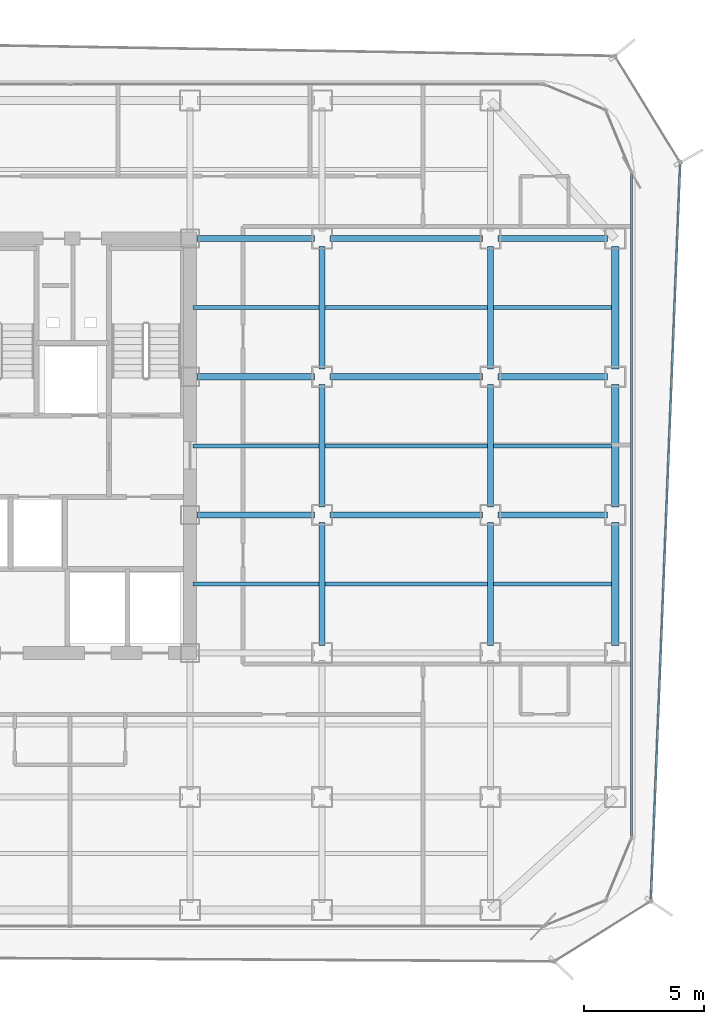
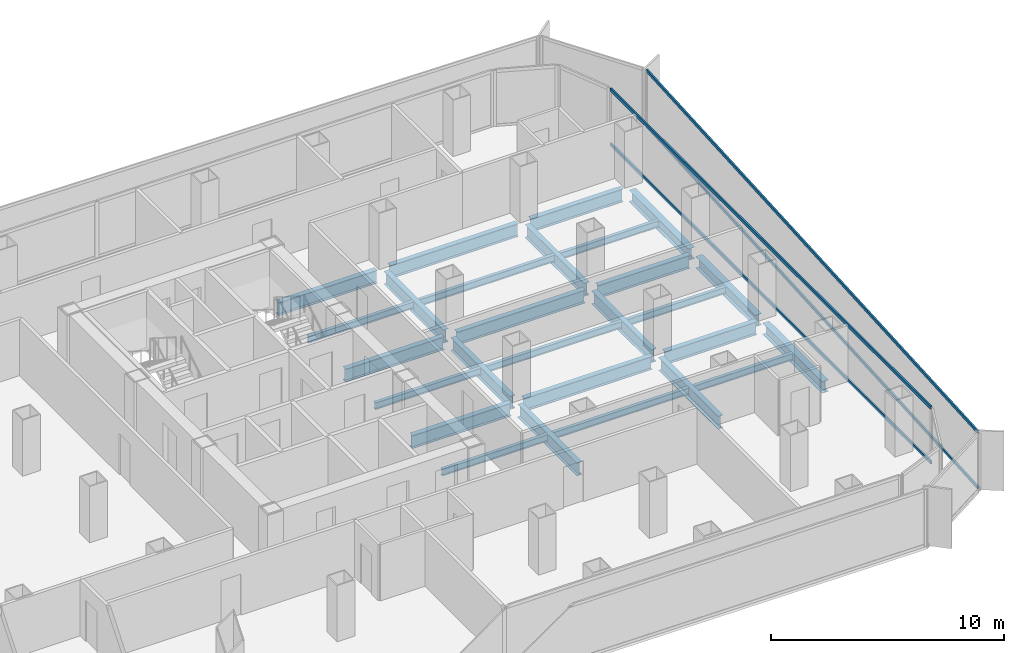
# One storey, part 9 of 21: 27 beams, 4 members, 2 elements without a shape of their own.
"""IFC4 building model written with IfcOpenShell, lengths in metres."""

from ifc_helpers import new_model, si_unit, direction, frame, origin, origin_2d, place, context, subcontext, project, spatial, hollow_rectangle, i_section, extrude, source, transform, mapped, material, layer, layer_set, material_profile, profile_set, type_object, element, aggregate, save


model = new_model("IFC4")

# Units and contexts
model_context = context("Model", 3, precision=1e-05, world=origin(), true_north=direction((0.0, 1.0)))
body_context = subcontext(model_context, "Body", "Model", "MODEL_VIEW")
ifc_project = project(units=[si_unit("LENGTHUNIT", "METRE"), si_unit("AREAUNIT", "SQUARE_METRE"), si_unit("VOLUMEUNIT", "CUBIC_METRE"), si_unit("PLANEANGLEUNIT", "RADIAN"), si_unit("MASSUNIT", "GRAM", prefix="KILO")], contexts=[model_context])

# Site, building, storey
site_placement = place(None, origin())
site = spatial("IfcSite", under=ifc_project, at=site_placement, CompositionType="ELEMENT")
building_placement = place(site_placement, origin())
building = spatial("IfcBuilding", under=site, at=building_placement, Name="Kolveth Station Tower", CompositionType="ELEMENT")
storey_placement = place(building_placement, frame((0.0, 0.0, 137.5)))
storey = spatial("IfcBuildingStorey", under=building, at=storey_placement, Name="L38", CompositionType="ELEMENT", Elevation=137.5)

# Beams
ifc_material_1 = material(Name="Steel S355", Category="steel")
ifc_material_profile_1 = material_profile(ifc_material_1, i_section(OverallWidth=0.323974609375, OverallDepth=0.611083984375, WebThickness=0.0126953125, FlangeThickness=0.01904296875, at=origin_2d()), Name="W610x155")
ifc_profile_set_1 = profile_set([ifc_material_profile_1], Name="Steel S355")
beam_type_1 = type_object("IfcBeamType", Name="Beam_SP2", PredefinedType="SPANDREL", material=ifc_profile_set_1)
shared_shape_1 = source(origin(), body_context, "Body", "SweptSolid", [
    extrude(i_section(OverallWidth=0.323974609375, OverallDepth=0.611083984375, WebThickness=0.0126953125, FlangeThickness=0.01904296875, at=origin_2d()), origin(), (0.0, 0.0, 1.0), 5.10986328125),
])
for number, where, z_axis, x_axis, name in (
    (1, (46.199951171875, 11.820068359375, -0.555419921875), (0.0, 1.0, 0.0), (-1.0, 0.0, 0.0), "L38 Perimeter Spandrel BM-L38-PE-2"),
    (2, (46.199951171875, 17.570068359375, -0.555419921875), (0.0, 1.0, 0.0), (-1.0, 0.0, 0.0), "L38 Perimeter Spandrel BM-L38-PE-3"),
    (3, (46.199951171875, 23.320068359375, -0.555419921875), (0.0, 1.0, 0.0), (-1.0, 0.0, 0.0), "L38 Perimeter Spandrel BM-L38-PE-4"),
):
    element("IfcBeam", number, at=place(storey_placement, frame(where, z_axis=z_axis, x_axis=x_axis)), inside=storey, type_object=beam_type_1, Name=name, PredefinedType="SPANDREL", context=body_context, shape_type="MappedRepresentation", body=[
        mapped(shared_shape_1, transform((0.0, 0.0, 0.0), x_axis=(1.0, 0.0, 0.0), y_axis=(0.0, 1.0, 0.0), z_axis=(0.0, 0.0, 1.0), scale=1.0)),
    ])
ifc_material_profile_2 = material_profile(ifc_material_1, i_section(OverallWidth=0.25390625, OverallDepth=0.68798828125, WebThickness=0.01318359375, FlangeThickness=0.02099609375, at=origin_2d()), Name="W690x152")
ifc_profile_set_2 = profile_set([ifc_material_profile_2], Name="Steel S355")
beam_type_2 = type_object("IfcBeamType", Name="Beam_B4", PredefinedType="BEAM", material=ifc_profile_set_2)
shared_shape_2 = source(origin(), body_context, "Body", "SweptSolid", [
    extrude(i_section(OverallWidth=0.25390625, OverallDepth=0.68798828125, WebThickness=0.01318359375, FlangeThickness=0.02099609375, at=origin_2d()), origin(), (0.0, 0.0, 1.0), 4.559814453125),
])
for number, where, z_axis, x_axis, name in (
    (4, (41.320068359375, 17.25, -0.593994140625), (1.0, 0.0, 0.0), (0.0, 1.0, 0.0), "L38 Primary Girder BM-L38-GY172-7"),
    (5, (41.320068359375, 23.0, -0.593994140625), (1.0, 0.0, 0.0), (0.0, 1.0, 0.0), "L38 Primary Girder BM-L38-GY230-7"),
    (6, (41.320068359375, 28.75, -0.593994140625), (1.0, 0.0, 0.0), (0.0, 1.0, 0.0), "L38 Primary Girder BM-L38-GY287-7"),
):
    element("IfcBeam", number, at=place(storey_placement, frame(where, z_axis=z_axis, x_axis=x_axis)), inside=storey, type_object=beam_type_2, Name=name, PredefinedType="BEAM", context=body_context, shape_type="MappedRepresentation", body=[
        mapped(shared_shape_2, transform((0.0, 0.0, 0.0), x_axis=(1.0, 0.0, 0.0), y_axis=(0.0, 1.0, 0.0), z_axis=(0.0, 0.0, 1.0), scale=1.0)),
    ])
shared_shape_3 = source(origin(), body_context, "Body", "SweptSolid", [
    extrude(i_section(OverallWidth=0.25390625, OverallDepth=0.68798828125, WebThickness=0.01318359375, FlangeThickness=0.02099609375, at=origin_2d()), origin(), (0.0, 0.0, 1.0), 6.35986328125),
])
for number, where, z_axis, x_axis, name in (
    (7, (34.320068359375, 17.25, -0.593994140625), (1.0, 0.0, 0.0), (0.0, 1.0, 0.0), "L38 Primary Girder BM-L38-GY172-6"),
    (8, (34.320068359375, 23.0, -0.593994140625), (1.0, 0.0, 0.0), (0.0, 1.0, 0.0), "L38 Primary Girder BM-L38-GY230-6"),
    (9, (34.320068359375, 28.75, -0.593994140625), (1.0, 0.0, 0.0), (0.0, 1.0, 0.0), "L38 Primary Girder BM-L38-GY287-6"),
):
    element("IfcBeam", number, at=place(storey_placement, frame(where, z_axis=z_axis, x_axis=x_axis)), inside=storey, type_object=beam_type_2, Name=name, PredefinedType="BEAM", context=body_context, shape_type="MappedRepresentation", body=[
        mapped(shared_shape_3, transform((0.0, 0.0, 0.0), x_axis=(1.0, 0.0, 0.0), y_axis=(0.0, 1.0, 0.0), z_axis=(0.0, 0.0, 1.0), scale=1.0)),
    ])
shared_shape_4 = source(origin(), body_context, "Body", "SweptSolid", [
    extrude(i_section(OverallWidth=0.25390625, OverallDepth=0.68798828125, WebThickness=0.01318359375, FlangeThickness=0.02099609375, at=origin_2d()), origin(), (0.0, 0.0, 1.0), 4.89990234375),
])
for number, where, z_axis, x_axis, name in (
    (10, (28.780029296875, 17.25, -0.593994140625), (1.0, 0.0, 0.0), (0.0, 1.0, 0.0), "L38 Primary Girder BM-L38-GY172-5"),
    (11, (28.780029296875, 23.0, -0.593994140625), (1.0, 0.0, 0.0), (0.0, 1.0, 0.0), "L38 Primary Girder BM-L38-GY230-5"),
    (12, (28.780029296875, 28.75, -0.593994140625), (1.0, 0.0, 0.0), (0.0, 1.0, 0.0), "L38 Primary Girder BM-L38-GY287-5"),
):
    element("IfcBeam", number, at=place(storey_placement, frame(where, z_axis=z_axis, x_axis=x_axis)), inside=storey, type_object=beam_type_2, Name=name, PredefinedType="BEAM", context=body_context, shape_type="MappedRepresentation", body=[
        mapped(shared_shape_4, transform((0.0, 0.0, 0.0), x_axis=(1.0, 0.0, 0.0), y_axis=(0.0, 1.0, 0.0), z_axis=(0.0, 0.0, 1.0), scale=1.0)),
    ])
shared_shape_5 = source(origin(), body_context, "Body", "SweptSolid", [
    extrude(i_section(OverallWidth=0.25390625, OverallDepth=0.68798828125, WebThickness=0.01318359375, FlangeThickness=0.02099609375, at=origin_2d()), origin(), (0.0, 0.0, 1.0), 5.10986328125),
])
for number, where, z_axis, x_axis, name in (
    (13, (34.0, 11.820068359375, -0.593994140625), (0.0, 1.0, 0.0), (-1.0, 0.0, 0.0), "L38 Primary Girder BM-L38-GX340-3"),
    (14, (34.0, 17.570068359375, -0.593994140625), (0.0, 1.0, 0.0), (-1.0, 0.0, 0.0), "L38 Primary Girder BM-L38-GX340-4"),
    (15, (34.0, 23.320068359375, -0.593994140625), (0.0, 1.0, 0.0), (-1.0, 0.0, 0.0), "L38 Primary Girder BM-L38-GX340-5"),
    (16, (41.0, 11.820068359375, -0.593994140625), (0.0, 1.0, 0.0), (-1.0, 0.0, 0.0), "L38 Primary Girder BM-L38-GX410-3"),
    (17, (41.0, 17.570068359375, -0.593994140625), (0.0, 1.0, 0.0), (-1.0, 0.0, 0.0), "L38 Primary Girder BM-L38-GX410-4"),
    (18, (41.0, 23.320068359375, -0.593994140625), (0.0, 1.0, 0.0), (-1.0, 0.0, 0.0), "L38 Primary Girder BM-L38-GX410-5"),
):
    element("IfcBeam", number, at=place(storey_placement, frame(where, z_axis=z_axis, x_axis=x_axis)), inside=storey, type_object=beam_type_2, Name=name, PredefinedType="BEAM", context=body_context, shape_type="MappedRepresentation", body=[
        mapped(shared_shape_5, transform((0.0, 0.0, 0.0), x_axis=(1.0, 0.0, 0.0), y_axis=(0.0, 1.0, 0.0), z_axis=(0.0, 0.0, 1.0), scale=1.0)),
    ])
ifc_material_profile_3 = material_profile(ifc_material_1, i_section(OverallWidth=0.1708984375, OverallDepth=0.35205078125, WebThickness=0.0068359375, FlangeThickness=0.009765625, at=origin_2d()), Name="W360x44")
ifc_profile_set_3 = profile_set([ifc_material_profile_3], Name="Steel S355")
beam_type_3 = type_object("IfcBeamType", Name="Beam_J2", PredefinedType="JOIST", material=ifc_profile_set_3)
shared_shape_6 = source(origin(), body_context, "Body", "SweptSolid", [
    extrude(i_section(OverallWidth=0.1708984375, OverallDepth=0.35205078125, WebThickness=0.0068359375, FlangeThickness=0.009765625, at=origin_2d()), origin(), (0.0, 0.0, 1.0), 4.9150390625),
])
for number, where, z_axis, x_axis, name in (
    (19, (41.125, 14.375, -0.426025390625), (1.0, 0.0, 0.0), (0.0, 1.0, 0.0), "L38 Secondary Joist JST-L38-7-3"),
    (20, (41.125, 20.125, -0.426025390625), (1.0, 0.0, 0.0), (0.0, 1.0, 0.0), "L38 Secondary Joist JST-L38-7-4"),
    (21, (41.125, 25.875, -0.426025390625), (1.0, 0.0, 0.0), (0.0, 1.0, 0.0), "L38 Secondary Joist JST-L38-7-5"),
):
    element("IfcBeam", number, at=place(storey_placement, frame(where, z_axis=z_axis, x_axis=x_axis)), inside=storey, type_object=beam_type_3, Name=name, PredefinedType="JOIST", context=body_context, shape_type="MappedRepresentation", body=[
        mapped(shared_shape_6, transform((0.0, 0.0, 0.0), x_axis=(1.0, 0.0, 0.0), y_axis=(0.0, 1.0, 0.0), z_axis=(0.0, 0.0, 1.0), scale=1.0)),
    ])
shared_shape_7 = source(origin(), body_context, "Body", "SweptSolid", [
    extrude(i_section(OverallWidth=0.1708984375, OverallDepth=0.35205078125, WebThickness=0.0068359375, FlangeThickness=0.009765625, at=origin_2d()), origin(), (0.0, 0.0, 1.0), 6.75),
])
for number, where, z_axis, x_axis, name in (
    (22, (34.125, 14.375, -0.426025390625), (1.0, 0.0, 0.0), (0.0, 1.0, 0.0), "L38 Secondary Joist JST-L38-6-3"),
    (23, (34.125, 20.125, -0.426025390625), (1.0, 0.0, 0.0), (0.0, 1.0, 0.0), "L38 Secondary Joist JST-L38-6-4"),
    (24, (34.125, 25.875, -0.426025390625), (1.0, 0.0, 0.0), (0.0, 1.0, 0.0), "L38 Secondary Joist JST-L38-6-5"),
):
    element("IfcBeam", number, at=place(storey_placement, frame(where, z_axis=z_axis, x_axis=x_axis)), inside=storey, type_object=beam_type_3, Name=name, PredefinedType="JOIST", context=body_context, shape_type="MappedRepresentation", body=[
        mapped(shared_shape_7, transform((0.0, 0.0, 0.0), x_axis=(1.0, 0.0, 0.0), y_axis=(0.0, 1.0, 0.0), z_axis=(0.0, 0.0, 1.0), scale=1.0)),
    ])
shared_shape_8 = source(origin(), body_context, "Body", "SweptSolid", [
    extrude(i_section(OverallWidth=0.1708984375, OverallDepth=0.35205078125, WebThickness=0.0068359375, FlangeThickness=0.009765625, at=origin_2d()), origin(), (0.0, 0.0, 1.0), 5.25),
])
for number, where, z_axis, x_axis, name in (
    (25, (28.625, 14.375, -0.426025390625), (1.0, 0.0, 0.0), (0.0, 1.0, 0.0), "L38 Secondary Joist JST-L38-5-3"),
    (26, (28.625, 20.125, -0.426025390625), (1.0, 0.0, 0.0), (0.0, 1.0, 0.0), "L38 Secondary Joist JST-L38-5-4"),
    (27, (28.625, 25.875, -0.426025390625), (1.0, 0.0, 0.0), (0.0, 1.0, 0.0), "L38 Secondary Joist JST-L38-5-5"),
):
    element("IfcBeam", number, at=place(storey_placement, frame(where, z_axis=z_axis, x_axis=x_axis)), inside=storey, type_object=beam_type_3, Name=name, PredefinedType="JOIST", context=body_context, shape_type="MappedRepresentation", body=[
        mapped(shared_shape_8, transform((0.0, 0.0, 0.0), x_axis=(1.0, 0.0, 0.0), y_axis=(0.0, 1.0, 0.0), z_axis=(0.0, 0.0, 1.0), scale=1.0)),
    ])

# Curtain wall, members
ifc_material_2 = material(Name="Aluminium 6063-T6 and low-E dark glass", Category="aluminium")
ifc_layer_1 = layer(ifc_material_2, 0.18994140625)
ifc_layer_set_1 = layer_set([ifc_layer_1], Name="Aluminium 6063-T6 and low-E dark glass")
curtain_wall_type_1 = type_object("IfcCurtainWallType", Name="CurtainWall_CW-Z2", PredefinedType="NOTDEFINED", material=ifc_layer_set_1)
curtain_wall_1_placement = place(storey_placement, origin())
curtain_wall_1 = element("IfcCurtainWall", 28, at=curtain_wall_1_placement, inside=storey, type_object=curtain_wall_type_1, Name="L38 Inner Thermal Curtain Wall 3", PredefinedType="NOTDEFINED")
ifc_material_3 = material(Name="Black anodized aluminium 6063-T6", Category="aluminium")
ifc_material_profile_4 = material_profile(ifc_material_3, hollow_rectangle(XDim=0.080078125, YDim=0.169921875, WallThickness=0.0048828125, at=origin_2d()), Name="ALU-80x170x5")
ifc_profile_set_4 = profile_set([ifc_material_profile_4], Name="Black anodized aluminium 6063-T6")
member_type_1 = type_object("IfcMemberType", Name="Transom_TR2", PredefinedType="USERDEFINED", material=ifc_profile_set_4)
shared_shape_9 = source(origin(), body_context, "Body", "SweptSolid", [
    extrude(hollow_rectangle(XDim=0.080078125, YDim=0.169921875, WallThickness=0.0048828125, at=origin_2d()), origin(), (0.0, 0.0, 1.0), 27.5400390625),
])
member_1_placement = place(storey_placement, frame((46.8798828125, 3.8798828125, 0.0400390625), z_axis=(0.0, 1.0, 0.0), x_axis=(-1.0, 0.0, 0.0)))
member_1 = element("IfcMember", 29, at=member_1_placement, type_object=member_type_1, Name="CW-Z2 transom 1.1", ObjectType="TRANSOM", PredefinedType="USERDEFINED", context=body_context, shape_type="MappedRepresentation", body=[
    mapped(shared_shape_9, transform((0.0, 0.0, 0.0), x_axis=(1.0, 0.0, 0.0), y_axis=(0.0, 1.0, 0.0), z_axis=(0.0, 0.0, 1.0), scale=1.0)),
])
member_2_placement = place(storey_placement, frame((46.8798828125, 3.8798828125, 2.909912109375), z_axis=(0.0, 1.0, 0.0), x_axis=(-1.0, 0.0, 0.0)))
member_2 = element("IfcMember", 30, at=member_2_placement, type_object=member_type_1, Name="CW-Z2 transom 1.2", ObjectType="TRANSOM", PredefinedType="USERDEFINED", context=body_context, shape_type="MappedRepresentation", body=[
    mapped(shared_shape_9, transform((0.0, 0.0, 0.0), x_axis=(1.0, 0.0, 0.0), y_axis=(0.0, 1.0, 0.0), z_axis=(0.0, 0.0, 1.0), scale=1.0)),
])
aggregate(curtain_wall_1, [member_1, member_2])

ifc_material_4 = material(Name="Black anodized aluminium 6063-T6 and dark solar glass", Category="aluminium")
ifc_layer_2 = layer(ifc_material_4, 0.159912109375)
ifc_layer_set_2 = layer_set([ifc_layer_2], Name="Black anodized aluminium 6063-T6 and dark solar glass")
curtain_wall_type_2 = type_object("IfcCurtainWallType", Name="OUTER SKIN CW-OS", PredefinedType="NOTDEFINED", material=ifc_layer_set_2)
curtain_wall_2_placement = place(storey_placement, origin())
curtain_wall_2 = element("IfcCurtainWall", 31, at=curtain_wall_2_placement, inside=storey, type_object=curtain_wall_type_2, Name="L38 Outer Ventilated Skin Curtain Wall 2", PredefinedType="NOTDEFINED")
ifc_material_profile_5 = material_profile(ifc_material_3, hollow_rectangle(XDim=0.080078125, YDim=0.14990234375, WallThickness=0.0048828125, at=origin_2d()), Name="ALU-80x150x5")
ifc_profile_set_5 = profile_set([ifc_material_profile_5], Name="Black anodized aluminium 6063-T6")
member_type_2 = type_object("IfcMemberType", Name="Transom_TR-OS", PredefinedType="USERDEFINED", material=ifc_profile_set_5)
shared_shape_10 = source(origin(), body_context, "Body", "SweptSolid", [
    extrude(hollow_rectangle(XDim=0.080078125, YDim=0.14990234375, WallThickness=0.0048828125, at=origin_2d()), origin(), (0.0, 0.0, 1.0), 30.58984375),
])
member_3_placement = place(storey_placement, frame((47.68505859375, 1.263916015625, 0.0400390625), z_axis=(0.039777753644, 0.999208551963, 0.0), x_axis=(-0.999208551963, 0.039777753644, 0.0)))
member_3 = element("IfcMember", 32, at=member_3_placement, type_object=member_type_2, Name="CW-OS transom 1.1", ObjectType="TRANSOM", PredefinedType="USERDEFINED", context=body_context, shape_type="MappedRepresentation", body=[
    mapped(shared_shape_10, transform((0.0, 0.0, 0.0), x_axis=(1.0, 0.0, 0.0), y_axis=(0.0, 1.0, 0.0), z_axis=(0.0, 0.0, 1.0), scale=1.0)),
])
member_4_placement = place(storey_placement, frame((47.68505859375, 1.263916015625, 2.949951171875), z_axis=(0.039777753644, 0.999208551963, 0.0), x_axis=(-0.999208551963, 0.039777753644, 0.0)))
member_4 = element("IfcMember", 33, at=member_4_placement, type_object=member_type_2, Name="CW-OS transom 1.2", ObjectType="TRANSOM", PredefinedType="USERDEFINED", context=body_context, shape_type="MappedRepresentation", body=[
    mapped(shared_shape_10, transform((0.0, 0.0, 0.0), x_axis=(1.0, 0.0, 0.0), y_axis=(0.0, 1.0, 0.0), z_axis=(0.0, 0.0, 1.0), scale=1.0)),
])
aggregate(curtain_wall_2, [member_3, member_4])

save(model, "model.ifc")
